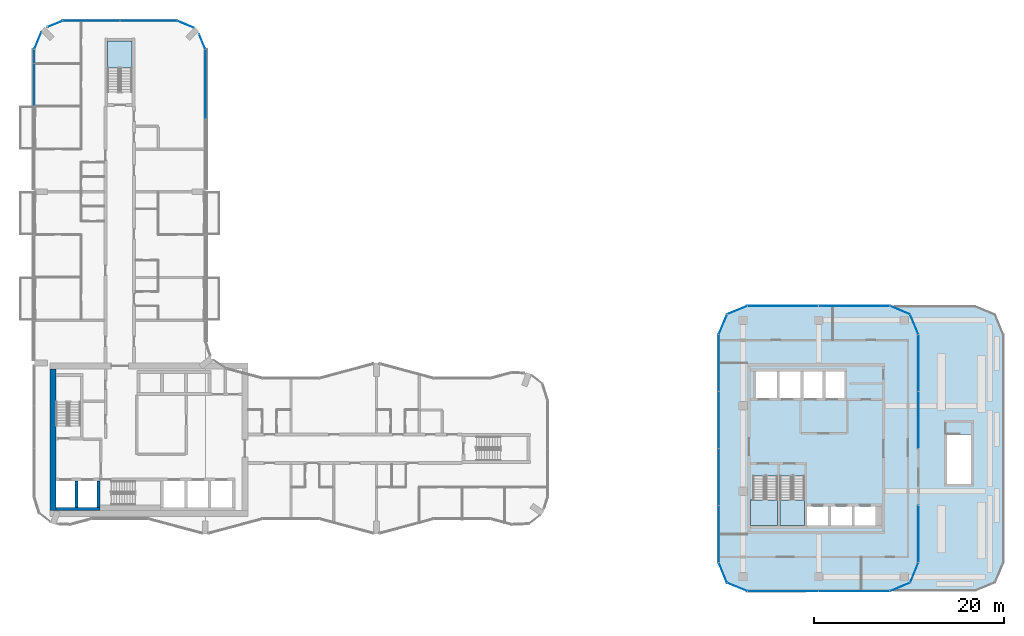
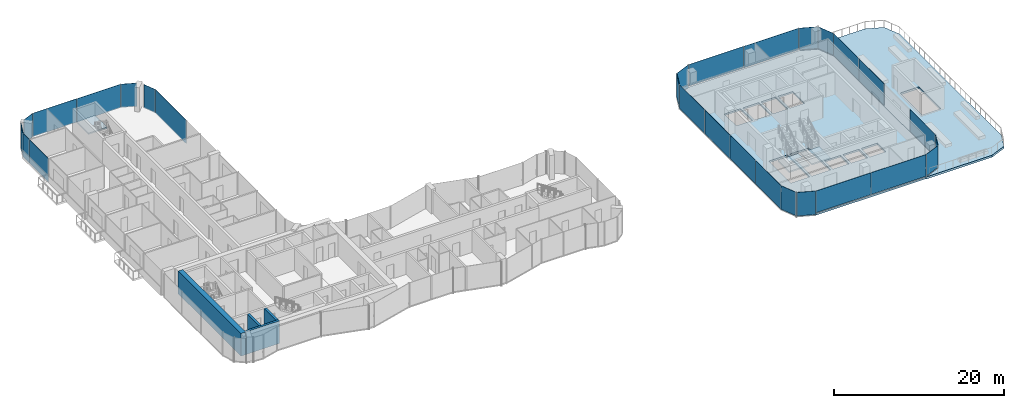
# One storey, part 12 of 22: 28 plates, 5 slabs, 4 walls, 23 elements without a shape of their own.
"""IFC4 building model written with IfcOpenShell, lengths in metres."""

from ifc_helpers import new_model, si_unit, direction, frame, frame_2d, origin, origin_2d, place, context, subcontext, project, spatial, polyline, rectangle, outline, extrude, material, layer, layer_set, type_object, element, aggregate, save


model = new_model("IFC4")

# Units and contexts
model_context = context("Model", 3, precision=1e-05, world=origin(), true_north=direction((0.0, 1.0)))
body_context = subcontext(model_context, "Body", "Model", "MODEL_VIEW")
ifc_project = project(units=[si_unit("LENGTHUNIT", "METRE"), si_unit("AREAUNIT", "SQUARE_METRE"), si_unit("VOLUMEUNIT", "CUBIC_METRE"), si_unit("PLANEANGLEUNIT", "RADIAN"), si_unit("MASSUNIT", "GRAM", prefix="KILO")], contexts=[model_context])

# Site, building, storey
site_placement = place(None, origin())
site = spatial("IfcSite", under=ifc_project, at=site_placement, CompositionType="ELEMENT")
building_placement = place(site_placement, origin())
building = spatial("IfcBuilding", under=site, at=building_placement, Name="Plateau Cross Towers", CompositionType="ELEMENT")
storey_placement = place(building_placement, frame((0.0, 0.0, 116.800048828125)))
storey = spatial("IfcBuildingStorey", under=building, at=storey_placement, Name="L30", CompositionType="ELEMENT", Elevation=116.800048828125)

# Curtain wall, plates
ifc_material_1 = material(Name="Dark low-iron glass", Category="glass")
ifc_layer_1 = layer(ifc_material_1, 0.239990234375)
ifc_layer_set_1 = layer_set([ifc_layer_1], Name="Dark low-iron glass")
curtain_wall_type_1 = type_object("IfcCurtainWallType", Name="Curtain wall office unitised CW-F", PredefinedType="NOTDEFINED", material=ifc_layer_set_1)
curtain_wall_1_placement = place(storey_placement, origin())
curtain_wall_1 = element("IfcCurtainWall", 1, at=curtain_wall_1_placement, inside=storey, type_object=curtain_wall_type_1, Name="ENV/B/L30/B750_-60", PredefinedType="NOTDEFINED")
ifc_layer_2 = layer(ifc_material_1, 0.028076171875)
ifc_layer_set_2 = layer_set([ifc_layer_2], Name="Dark low-iron glass")
plate_type_1 = type_object("IfcPlateType", Name="Glass panel 28 office unitised", PredefinedType="CURTAIN_PANEL", material=ifc_layer_set_2)
plate_1_placement = place(storey_placement, frame((78.75, -6.0, 0.1201171875), z_axis=(0.0, 0.0, 1.0), x_axis=(1.0, 0.0, 0.0)))
plate_1 = element("IfcPlate", 2, at=plate_1_placement, type_object=plate_type_1, Name="CW-F panel 1", PredefinedType="CURTAIN_PANEL", context=body_context, shape_type="SweptSolid", body=[
    extrude(rectangle(XDim=7.43994140625, YDim=0.028076171875, at=origin_2d()), origin(), (0.0, 0.0, 1.0), 3.1298828125),
])
plate_2_placement = place(storey_placement, frame((86.25, -6.0, 0.1201171875), z_axis=(0.0, 0.0, 1.0), x_axis=(1.0, 0.0, 0.0)))
plate_2 = element("IfcPlate", 3, at=plate_2_placement, type_object=plate_type_1, Name="CW-F panel 2", PredefinedType="CURTAIN_PANEL", context=body_context, shape_type="SweptSolid", body=[
    extrude(rectangle(XDim=7.43994140625, YDim=0.028076171875, at=origin_2d()), origin(), (0.0, 0.0, 1.0), 3.1298828125),
])
aggregate(curtain_wall_1, [plate_1, plate_2])

# Curtain wall, plate
curtain_wall_2_placement = place(storey_placement, origin())
curtain_wall_2 = element("IfcCurtainWall", 4, at=curtain_wall_2_placement, inside=storey, type_object=curtain_wall_type_1, Name="ENV/B/L30/B900_-60", PredefinedType="NOTDEFINED")
plate_3_placement = place(storey_placement, frame((91.060546875, -5.560546875, 0.1201171875), z_axis=(0.0, 0.0, 1.0), x_axis=(0.923879457699, 0.382683612978, 0.0)))
plate_3 = element("IfcPlate", 5, at=plate_3_placement, type_object=plate_type_1, Name="CW-F panel 1", PredefinedType="CURTAIN_PANEL", context=body_context, shape_type="SweptSolid", body=[
    extrude(rectangle(XDim=2.236083984375, YDim=0.028076171875, at=origin_2d()), origin(), (0.0, 0.0, 1.0), 3.1298828125),
])
aggregate(curtain_wall_2, [plate_3])

curtain_wall_3_placement = place(storey_placement, origin())
curtain_wall_3 = element("IfcCurtainWall", 6, at=curtain_wall_3_placement, inside=storey, type_object=curtain_wall_type_1, Name="ENV/B/L30/B921_-51", PredefinedType="NOTDEFINED")
plate_4_placement = place(storey_placement, frame((92.560546875, -4.060546875, 0.1201171875), z_axis=(0.0, 0.0, 1.0), x_axis=(0.382683612978, 0.923879457699, 0.0)))
plate_4 = element("IfcPlate", 7, at=plate_4_placement, type_object=plate_type_1, Name="CW-F panel 1", PredefinedType="CURTAIN_PANEL", context=body_context, shape_type="SweptSolid", body=[
    extrude(rectangle(XDim=2.236083984375, YDim=0.028076171875, at=origin_2d()), origin(), (0.0, 0.0, 1.0), 3.1298828125),
])
aggregate(curtain_wall_3, [plate_4])

curtain_wall_4_placement = place(storey_placement, origin())
curtain_wall_4 = element("IfcCurtainWall", 8, at=curtain_wall_4_placement, inside=storey, type_object=curtain_wall_type_1, Name="ENV/B/L30/B930_-30", PredefinedType="NOTDEFINED")
plate_5_placement = place(storey_placement, frame((93.0, 0.0, 0.1201171875), z_axis=(0.0, 0.0, 1.0), x_axis=(0.0, 1.0, 0.0)))
plate_5 = element("IfcPlate", 9, at=plate_5_placement, type_object=plate_type_1, Name="CW-F panel 1", PredefinedType="CURTAIN_PANEL", context=body_context, shape_type="SweptSolid", body=[
    extrude(rectangle(XDim=5.93994140625, YDim=0.028076171875, at=origin_2d()), origin(), (0.0, 0.0, 1.0), 3.1298828125),
])
aggregate(curtain_wall_4, [plate_5])

# Curtain wall, plates
curtain_wall_5_placement = place(storey_placement, origin())
curtain_wall_5 = element("IfcCurtainWall", 10, at=curtain_wall_5_placement, inside=storey, type_object=curtain_wall_type_1, Name="ENV/B/L30/B930_90", PredefinedType="NOTDEFINED")
plate_6_placement = place(storey_placement, frame((93.0, 12.0, 0.1201171875), z_axis=(0.0, 0.0, 1.0), x_axis=(0.0, 1.0, 0.0)))
plate_6 = element("IfcPlate", 11, at=plate_6_placement, type_object=plate_type_1, Name="CW-F panel 1", PredefinedType="CURTAIN_PANEL", context=body_context, shape_type="SweptSolid", body=[
    extrude(rectangle(XDim=5.93994140625, YDim=0.028076171875, at=origin_2d()), origin(), (0.0, 0.0, 1.0), 3.1298828125),
])
plate_7_placement = place(storey_placement, frame((93.0, 18.0, 0.1201171875), z_axis=(0.0, 0.0, 1.0), x_axis=(0.0, 1.0, 0.0)))
plate_7 = element("IfcPlate", 12, at=plate_7_placement, type_object=plate_type_1, Name="CW-F panel 2", PredefinedType="CURTAIN_PANEL", context=body_context, shape_type="SweptSolid", body=[
    extrude(rectangle(XDim=5.93994140625, YDim=0.028076171875, at=origin_2d()), origin(), (0.0, 0.0, 1.0), 3.1298828125),
])
aggregate(curtain_wall_5, [plate_6, plate_7])

# Curtain wall, plate
curtain_wall_6_placement = place(storey_placement, origin())
curtain_wall_6 = element("IfcCurtainWall", 13, at=curtain_wall_6_placement, inside=storey, type_object=curtain_wall_type_1, Name="ENV/B/L30/B930_210", PredefinedType="NOTDEFINED")
plate_8_placement = place(storey_placement, frame((92.560546875, 22.060546875, 0.1201171875), z_axis=(0.0, 0.0, 1.0), x_axis=(-0.382683612978, 0.923879457699, 0.0)))
plate_8 = element("IfcPlate", 14, at=plate_8_placement, type_object=plate_type_1, Name="CW-F panel 1", PredefinedType="CURTAIN_PANEL", context=body_context, shape_type="SweptSolid", body=[
    extrude(rectangle(XDim=2.236083984375, YDim=0.028076171875, at=origin_2d()), origin(), (0.0, 0.0, 1.0), 3.1298828125),
])
aggregate(curtain_wall_6, [plate_8])

curtain_wall_7_placement = place(storey_placement, origin())
curtain_wall_7 = element("IfcCurtainWall", 15, at=curtain_wall_7_placement, inside=storey, type_object=curtain_wall_type_1, Name="ENV/B/L30/B921_231", PredefinedType="NOTDEFINED")
plate_9_placement = place(storey_placement, frame((91.060546875, 23.560546875, 0.1201171875), z_axis=(0.0, 0.0, 1.0), x_axis=(-0.923879457699, 0.382683612978, 0.0)))
plate_9 = element("IfcPlate", 16, at=plate_9_placement, type_object=plate_type_1, Name="CW-F panel 1", PredefinedType="CURTAIN_PANEL", context=body_context, shape_type="SweptSolid", body=[
    extrude(rectangle(XDim=2.236083984375, YDim=0.028076171875, at=origin_2d()), origin(), (0.0, 0.0, 1.0), 3.1298828125),
])
aggregate(curtain_wall_7, [plate_9])

# Curtain wall, plates
curtain_wall_8_placement = place(storey_placement, origin())
curtain_wall_8 = element("IfcCurtainWall", 17, at=curtain_wall_8_placement, inside=storey, type_object=curtain_wall_type_1, Name="ENV/B/L30/B900_240", PredefinedType="NOTDEFINED")
plate_10_placement = place(storey_placement, frame((86.25, 24.0, 0.1201171875), z_axis=(0.0, 0.0, 1.0), x_axis=(-1.0, 0.0, 0.0)))
plate_10 = element("IfcPlate", 18, at=plate_10_placement, type_object=plate_type_1, Name="CW-F panel 1", PredefinedType="CURTAIN_PANEL", context=body_context, shape_type="SweptSolid", body=[
    extrude(rectangle(XDim=7.43994140625, YDim=0.028076171875, at=origin_2d()), origin(), (0.0, 0.0, 1.0), 3.1298828125),
])
plate_11_placement = place(storey_placement, frame((78.75, 24.0, 0.1201171875), z_axis=(0.0, 0.0, 1.0), x_axis=(-1.0, 0.0, 0.0)))
plate_11 = element("IfcPlate", 19, at=plate_11_placement, type_object=plate_type_1, Name="CW-F panel 2", PredefinedType="CURTAIN_PANEL", context=body_context, shape_type="SweptSolid", body=[
    extrude(rectangle(XDim=7.43994140625, YDim=0.028076171875, at=origin_2d()), origin(), (0.0, 0.0, 1.0), 3.1298828125),
])
aggregate(curtain_wall_8, [plate_10, plate_11])

# Curtain wall, plate
curtain_wall_9_placement = place(storey_placement, origin())
curtain_wall_9 = element("IfcCurtainWall", 20, at=curtain_wall_9_placement, inside=storey, type_object=curtain_wall_type_1, Name="ENV/B/L30/B750_240", PredefinedType="NOTDEFINED")
plate_12_placement = place(storey_placement, frame((73.939453125, 23.560546875, -0.1298828125), z_axis=(0.0, 0.0, 1.0), x_axis=(-0.923879457699, -0.382683612978, 0.0)))
plate_12 = element("IfcPlate", 21, at=plate_12_placement, type_object=plate_type_1, Name="CW-F panel 1", PredefinedType="CURTAIN_PANEL", context=body_context, shape_type="SweptSolid", body=[
    extrude(rectangle(XDim=2.236083984375, YDim=0.028076171875, at=origin_2d()), origin(), (0.0, 0.0, 1.0), 3.3798828125),
])
aggregate(curtain_wall_9, [plate_12])

curtain_wall_10_placement = place(storey_placement, origin())
curtain_wall_10 = element("IfcCurtainWall", 22, at=curtain_wall_10_placement, inside=storey, type_object=curtain_wall_type_1, Name="ENV/B/L30/B729_231", PredefinedType="NOTDEFINED")
plate_13_placement = place(storey_placement, frame((72.439453125, 22.060546875, -0.1298828125), z_axis=(0.0, 0.0, 1.0), x_axis=(-0.382683612978, -0.923879457699, 0.0)))
plate_13 = element("IfcPlate", 23, at=plate_13_placement, type_object=plate_type_1, Name="CW-F panel 1", PredefinedType="CURTAIN_PANEL", context=body_context, shape_type="SweptSolid", body=[
    extrude(rectangle(XDim=2.236083984375, YDim=0.028076171875, at=origin_2d()), origin(), (0.0, 0.0, 1.0), 3.3798828125),
])
aggregate(curtain_wall_10, [plate_13])

# Curtain wall, plates
curtain_wall_11_placement = place(storey_placement, origin())
curtain_wall_11 = element("IfcCurtainWall", 24, at=curtain_wall_11_placement, inside=storey, type_object=curtain_wall_type_1, Name="ENV/B/L30/B720_210", PredefinedType="NOTDEFINED")
plate_14_placement = place(storey_placement, frame((72.0, 18.0, -0.1298828125), z_axis=(0.0, 0.0, 1.0), x_axis=(0.0, -1.0, 0.0)))
plate_14 = element("IfcPlate", 25, at=plate_14_placement, type_object=plate_type_1, Name="CW-F panel 1", PredefinedType="CURTAIN_PANEL", context=body_context, shape_type="SweptSolid", body=[
    extrude(rectangle(XDim=5.93994140625, YDim=0.028076171875, at=origin_2d()), origin(), (0.0, 0.0, 1.0), 3.3798828125),
])
plate_15_placement = place(storey_placement, frame((72.0, 12.0, -0.1298828125), z_axis=(0.0, 0.0, 1.0), x_axis=(0.0, -1.0, 0.0)))
plate_15 = element("IfcPlate", 26, at=plate_15_placement, type_object=plate_type_1, Name="CW-F panel 2", PredefinedType="CURTAIN_PANEL", context=body_context, shape_type="SweptSolid", body=[
    extrude(rectangle(XDim=5.93994140625, YDim=0.028076171875, at=origin_2d()), origin(), (0.0, 0.0, 1.0), 3.3798828125),
])
plate_16_placement = place(storey_placement, frame((72.0, 6.0, -0.1298828125), z_axis=(0.0, 0.0, 1.0), x_axis=(0.0, -1.0, 0.0)))
plate_16 = element("IfcPlate", 27, at=plate_16_placement, type_object=plate_type_1, Name="CW-F panel 3", PredefinedType="CURTAIN_PANEL", context=body_context, shape_type="SweptSolid", body=[
    extrude(rectangle(XDim=5.93994140625, YDim=0.028076171875, at=origin_2d()), origin(), (0.0, 0.0, 1.0), 3.3798828125),
])
plate_17_placement = place(storey_placement, frame((72.0, 0.0, -0.1298828125), z_axis=(0.0, 0.0, 1.0), x_axis=(0.0, -1.0, 0.0)))
plate_17 = element("IfcPlate", 28, at=plate_17_placement, type_object=plate_type_1, Name="CW-F panel 4", PredefinedType="CURTAIN_PANEL", context=body_context, shape_type="SweptSolid", body=[
    extrude(rectangle(XDim=5.93994140625, YDim=0.028076171875, at=origin_2d()), origin(), (0.0, 0.0, 1.0), 3.3798828125),
])
aggregate(curtain_wall_11, [plate_14, plate_15, plate_16, plate_17])

# Curtain wall, plate
curtain_wall_12_placement = place(storey_placement, origin())
curtain_wall_12 = element("IfcCurtainWall", 29, at=curtain_wall_12_placement, inside=storey, type_object=curtain_wall_type_1, Name="ENV/B/L30/B720_-30", PredefinedType="NOTDEFINED")
plate_18_placement = place(storey_placement, frame((72.439453125, -4.060546875, -0.1298828125), z_axis=(0.0, 0.0, 1.0), x_axis=(0.382683612978, -0.923879457699, 0.0)))
plate_18 = element("IfcPlate", 30, at=plate_18_placement, type_object=plate_type_1, Name="CW-F panel 1", PredefinedType="CURTAIN_PANEL", context=body_context, shape_type="SweptSolid", body=[
    extrude(rectangle(XDim=2.236083984375, YDim=0.028076171875, at=origin_2d()), origin(), (0.0, 0.0, 1.0), 3.3798828125),
])
aggregate(curtain_wall_12, [plate_18])

curtain_wall_13_placement = place(storey_placement, origin())
curtain_wall_13 = element("IfcCurtainWall", 31, at=curtain_wall_13_placement, inside=storey, type_object=curtain_wall_type_1, Name="ENV/B/L30/B729_-51", PredefinedType="NOTDEFINED")
plate_19_placement = place(storey_placement, frame((73.939453125, -5.560546875, -0.1298828125), z_axis=(0.0, 0.0, 1.0), x_axis=(0.923879457699, -0.382683612978, 0.0)))
plate_19 = element("IfcPlate", 32, at=plate_19_placement, type_object=plate_type_1, Name="CW-F panel 1", PredefinedType="CURTAIN_PANEL", context=body_context, shape_type="SweptSolid", body=[
    extrude(rectangle(XDim=2.236083984375, YDim=0.028076171875, at=origin_2d()), origin(), (0.0, 0.0, 1.0), 3.3798828125),
])
aggregate(curtain_wall_13, [plate_19])

ifc_layer_3 = layer(ifc_material_1, 0.239990234375)
ifc_layer_set_3 = layer_set([ifc_layer_3], Name="Dark low-iron glass")
curtain_wall_type_2 = type_object("IfcCurtainWallType", Name="Curtain wall flush unitised CW-B", PredefinedType="NOTDEFINED", material=ifc_layer_set_3)
curtain_wall_14_placement = place(storey_placement, origin())
curtain_wall_14 = element("IfcCurtainWall", 33, at=curtain_wall_14_placement, inside=storey, type_object=curtain_wall_type_2, Name="ENV/A/L30/A180_363", PredefinedType="NOTDEFINED")
ifc_layer_4 = layer(ifc_material_1, 0.031982421875)
ifc_layer_set_4 = layer_set([ifc_layer_4], Name="Dark low-iron glass")
plate_type_2 = type_object("IfcPlateType", Name="Glass panel 32 flush unitised", PredefinedType="CURTAIN_PANEL", material=ifc_layer_set_4)
plate_20_placement = place(storey_placement, frame((18.0, 47.324951171875, -0.1298828125), z_axis=(0.0, 0.0, 1.0), x_axis=(0.0, 1.0, 0.0)))
plate_20 = element("IfcPlate", 34, at=plate_20_placement, type_object=plate_type_2, Name="CW-B panel 2", PredefinedType="CURTAIN_PANEL", context=body_context, shape_type="SweptSolid", body=[
    extrude(rectangle(XDim=7.2900390625, YDim=0.031982421875, at=origin_2d()), origin(), (0.0, 0.0, 1.0), 3.3798828125),
])
aggregate(curtain_wall_14, [plate_20])

curtain_wall_15_placement = place(storey_placement, origin())
curtain_wall_15 = element("IfcCurtainWall", 35, at=curtain_wall_15_placement, inside=storey, type_object=curtain_wall_type_2, Name="ENV/A/L30/A180_510", PredefinedType="NOTDEFINED")
plate_21_placement = place(storey_placement, frame((17.66943359375, 51.79833984375, -0.1298828125), z_axis=(0.0, 0.0, 1.0), x_axis=(-0.382683612978, 0.923879457699, 0.0)))
plate_21 = element("IfcPlate", 36, at=plate_21_placement, type_object=plate_type_2, Name="CW-B panel 1", PredefinedType="CURTAIN_PANEL", context=body_context, shape_type="SweptSolid", body=[
    extrude(rectangle(XDim=1.668212890625, YDim=0.031982421875, at=origin_2d()), origin(), (0.0, 0.0, 1.0), 3.3798828125),
])
aggregate(curtain_wall_15, [plate_21])

curtain_wall_16_placement = place(storey_placement, origin())
curtain_wall_16 = element("IfcCurtainWall", 37, at=curtain_wall_16_placement, inside=storey, type_object=curtain_wall_type_2, Name="ENV/A/L30/A168_533", PredefinedType="NOTDEFINED")
plate_22_placement = place(storey_placement, frame((15.90283203125, 53.6259765625, -0.1298828125), z_axis=(0.0, 0.0, 1.0), x_axis=(-0.923879457699, 0.382683612978, 0.0)))
plate_22 = element("IfcPlate", 38, at=plate_22_placement, type_object=plate_type_2, Name="CW-B panel 1", PredefinedType="CURTAIN_PANEL", context=body_context, shape_type="SweptSolid", body=[
    extrude(rectangle(XDim=1.894775390625, YDim=0.031982421875, at=origin_2d()), origin(), (0.0, 0.0, 1.0), 3.3798828125),
])
aggregate(curtain_wall_16, [plate_22])

# Curtain wall, plates
curtain_wall_17_placement = place(storey_placement, origin())
curtain_wall_17 = element("IfcCurtainWall", 39, at=curtain_wall_17_placement, inside=storey, type_object=curtain_wall_type_2, Name="ENV/A/L30/A150_540", PredefinedType="NOTDEFINED")
plate_23_placement = place(storey_placement, frame((12.0, 54.0, -0.1298828125), z_axis=(0.0, 0.0, 1.0), x_axis=(-1.0, 0.0, 0.0)))
plate_23 = element("IfcPlate", 40, at=plate_23_placement, type_object=plate_type_2, Name="CW-B panel 1", PredefinedType="CURTAIN_PANEL", context=body_context, shape_type="SweptSolid", body=[
    extrude(rectangle(XDim=5.93994140625, YDim=0.031982421875, at=origin_2d()), origin(), (0.0, 0.0, 1.0), 3.3798828125),
])
plate_24_placement = place(storey_placement, frame((6.0, 54.0, -0.1298828125), z_axis=(0.0, 0.0, 1.0), x_axis=(-1.0, 0.0, 0.0)))
plate_24 = element("IfcPlate", 41, at=plate_24_placement, type_object=plate_type_2, Name="CW-B panel 2", PredefinedType="CURTAIN_PANEL", context=body_context, shape_type="SweptSolid", body=[
    extrude(rectangle(XDim=5.93994140625, YDim=0.031982421875, at=origin_2d()), origin(), (0.0, 0.0, 1.0), 3.3798828125),
])
aggregate(curtain_wall_17, [plate_23, plate_24])

# Curtain wall, plate
curtain_wall_18_placement = place(storey_placement, origin())
curtain_wall_18 = element("IfcCurtainWall", 42, at=curtain_wall_18_placement, inside=storey, type_object=curtain_wall_type_2, Name="ENV/A/L30/A30_540", PredefinedType="NOTDEFINED")
plate_25_placement = place(storey_placement, frame((2.20166015625, 53.66943359375, -0.1298828125), z_axis=(0.0, 0.0, 1.0), x_axis=(-0.923879457699, -0.382683612978, 0.0)))
plate_25 = element("IfcPlate", 43, at=plate_25_placement, type_object=plate_type_2, Name="CW-B panel 1", PredefinedType="CURTAIN_PANEL", context=body_context, shape_type="SweptSolid", body=[
    extrude(rectangle(XDim=1.668212890625, YDim=0.031982421875, at=origin_2d()), origin(), (0.0, 0.0, 1.0), 3.3798828125),
])
aggregate(curtain_wall_18, [plate_25])

curtain_wall_19_placement = place(storey_placement, origin())
curtain_wall_19 = element("IfcCurtainWall", 44, at=curtain_wall_19_placement, inside=storey, type_object=curtain_wall_type_2, Name="ENV/A/L30/A7_528", PredefinedType="NOTDEFINED")
plate_26_placement = place(storey_placement, frame((0.3740234375, 51.90283203125, -0.1298828125), z_axis=(0.0, 0.0, 1.0), x_axis=(-0.382683612978, -0.923879457699, 0.0)))
plate_26 = element("IfcPlate", 45, at=plate_26_placement, type_object=plate_type_2, Name="CW-B panel 1", PredefinedType="CURTAIN_PANEL", context=body_context, shape_type="SweptSolid", body=[
    extrude(rectangle(XDim=1.894775390625, YDim=0.031982421875, at=origin_2d()), origin(), (0.0, 0.0, 1.0), 3.3798828125),
])
aggregate(curtain_wall_19, [plate_26])

# Curtain wall, plates
curtain_wall_20_placement = place(storey_placement, origin())
curtain_wall_20 = element("IfcCurtainWall", 46, at=curtain_wall_20_placement, inside=storey, type_object=curtain_wall_type_2, Name="ENV/A/L30/A0_510", PredefinedType="NOTDEFINED")
plate_27_placement = place(storey_placement, frame((0.0, 50.25, -0.1298828125), z_axis=(0.0, 0.0, 1.0), x_axis=(0.0, -1.0, 0.0)))
plate_27 = element("IfcPlate", 47, at=plate_27_placement, type_object=plate_type_2, Name="CW-B panel 1", PredefinedType="CURTAIN_PANEL", context=body_context, shape_type="SweptSolid", body=[
    extrude(rectangle(XDim=1.43994140625, YDim=0.031982421875, at=origin_2d()), origin(), (0.0, 0.0, 1.0), 3.3798828125),
])
plate_28_placement = place(storey_placement, frame((0.0, 47.2548828125, -0.1298828125), z_axis=(0.0, 0.0, 1.0), x_axis=(0.0, -1.0, 0.0)))
plate_28 = element("IfcPlate", 48, at=plate_28_placement, type_object=plate_type_2, Name="CW-B panel 2", PredefinedType="CURTAIN_PANEL", context=body_context, shape_type="SweptSolid", body=[
    extrude(rectangle(XDim=4.429931640625, YDim=0.031982421875, at=origin_2d()), origin(), (0.0, 0.0, 1.0), 3.3798828125),
])
aggregate(curtain_wall_20, [plate_27, plate_28])

# Slabs
ifc_material_2 = material(Name="Concrete C40/50", Category="concrete")
ifc_layer_5 = layer(ifc_material_2, 0.300048828125)
ifc_layer_set_5 = layer_set([ifc_layer_5], Name="Concrete C40/50")
slab_type_1 = type_object("IfcSlabType", Name="Post-tensioned deck slab 300", PredefinedType="FLOOR", material=ifc_layer_set_5)
slab_1_placement = place(storey_placement, frame((0.0, 0.0, -0.300048828125)))
element("IfcSlab", 49, at=slab_1_placement, inside=storey, type_object=slab_type_1, Name="SL-B-roof-garden", PredefinedType="FLOOR", context=body_context, shape_type="SweptSolid", body=[
    extrude(outline(polyline([(102.0, 21.0), (102.0, -3.0), (101.121337890625, -5.121337890625), (99.0, -6.0), (90.001220703125, -6.0), (90.001220703125, -5.99951171875), (92.121337890625, -5.121337890625), (93.0, -3.0), (93.0, 21.0), (92.121337890625, 23.121337890625), (90.001220703125, 23.99951171875), (90.001220703125, 24.0), (99.0, 24.0), (101.121337890625, 23.121337890625), (102.0, 21.0)]), holes=[polyline([(96.0, 5.300048828125), (98.550048828125, 5.300048828125), (98.550048828125, 10.5), (96.0, 10.5), (96.0, 5.300048828125)])]), origin(), (0.0, 0.0, 1.0), 0.300048828125),
])
ifc_layer_6 = layer(ifc_material_2, 0.25)
ifc_layer_set_6 = layer_set([ifc_layer_6], Name="Concrete C40/50")
slab_type_2 = type_object("IfcSlabType", Name="Post-tensioned flat plate slab 250", PredefinedType="FLOOR", material=ifc_layer_set_6)
slab_2_placement = place(storey_placement, frame((0.0, 0.0, -0.25)))
element("IfcSlab", 50, at=slab_2_placement, inside=storey, type_object=slab_type_2, Name="SL-B-L30", PredefinedType="FLOOR", context=body_context, shape_type="SweptSolid", body=[
    extrude(outline(polyline([(72.878662109375, -5.121337890625), (72.0, -3.0), (72.0, 21.0), (72.878662109375, 23.121337890625), (75.0, 24.0), (90.0, 24.0), (92.121337890625, 23.121337890625), (93.0, 21.0), (93.0, -3.0), (92.121337890625, -5.121337890625), (90.0, -6.0), (75.0, -6.0), (72.878662109375, -5.121337890625)]), holes=[polyline([(75.60009765625, 0.89990234375), (78.14990234375, 0.89990234375), (78.14990234375, 6.10009765625), (75.60009765625, 6.10009765625), (75.60009765625, 0.89990234375)]), polyline([(78.10009765625, 14.300048828125), (78.10009765625, 17.10009765625), (75.89990234375, 17.10009765625), (75.89990234375, 14.300048828125), (78.10009765625, 14.300048828125)]), polyline([(83.5, 0.89990234375), (83.5, 2.89990234375), (81.300048828125, 2.89990234375), (81.300048828125, 0.89990234375), (83.5, 0.89990234375)]), polyline([(86.0, 0.89990234375), (86.0, 2.89990234375), (83.800048828125, 2.89990234375), (83.800048828125, 0.89990234375), (86.0, 0.89990234375)]), polyline([(88.5, 0.89990234375), (88.5, 2.89990234375), (86.300048828125, 2.89990234375), (86.300048828125, 0.89990234375), (88.5, 0.89990234375)]), polyline([(78.449951171875, 0.89990234375), (81.0, 0.89990234375), (81.0, 6.10009765625), (78.449951171875, 6.10009765625), (78.449951171875, 0.89990234375)]), polyline([(80.60009765625, 14.300048828125), (80.60009765625, 17.10009765625), (78.39990234375, 17.10009765625), (78.39990234375, 14.300048828125), (80.60009765625, 14.300048828125)]), polyline([(80.89990234375, 14.300048828125), (82.89990234375, 14.300048828125), (82.89990234375, 17.10009765625), (80.89990234375, 17.10009765625), (80.89990234375, 14.300048828125)]), polyline([(83.199951171875, 14.300048828125), (85.199951171875, 14.300048828125), (85.199951171875, 17.10009765625), (83.199951171875, 17.10009765625), (83.199951171875, 14.300048828125)])]), origin(), (0.0, 0.0, 1.0), 0.25),
])

# Stair, slab
stair_type = type_object("IfcStairType", Name="ST-TWR", PredefinedType="HALF_TURN_STAIR", material=ifc_material_2)
stair_1_placement = place(storey_placement, origin())
stair_1 = element("IfcStair", 51, at=stair_1_placement, inside=storey, type_object=stair_type, Name="L30 Protected Exit Stair SB-1", PredefinedType="HALF_TURN_STAIR")
ifc_layer_7 = layer(ifc_material_2, 0.199951171875)
ifc_layer_set_7 = layer_set([ifc_layer_7], Name="Concrete C40/50")
slab_type_3 = type_object("IfcSlabType", Name="SL-LANDING", PredefinedType="LANDING", material=ifc_layer_set_7)
slab_3_placement = place(storey_placement, frame((0.0, 0.0, 1.550048828125)))
slab_3 = element("IfcSlab", 52, at=slab_3_placement, type_object=slab_type_3, Name="SB-1 landing 1", PredefinedType="LANDING", context=body_context, shape_type="SweptSolid", body=[
    extrude(outline(polyline([(75.35009765625, 3.580078125), (75.35009765625, 0.89990234375), (78.14990234375, 0.89990234375), (78.14990234375, 3.580078125), (75.35009765625, 3.580078125)])), origin(), (0.0, 0.0, 1.0), 0.199951171875),
])
aggregate(stair_1, [slab_3])

stair_2_placement = place(storey_placement, origin())
stair_2 = element("IfcStair", 53, at=stair_2_placement, inside=storey, type_object=stair_type, Name="L30 Protected Exit Stair SB-2", PredefinedType="HALF_TURN_STAIR")
slab_4_placement = place(storey_placement, frame((0.0, 0.0, 1.550048828125)))
slab_4 = element("IfcSlab", 54, at=slab_4_placement, type_object=slab_type_3, Name="SB-2 landing 1", PredefinedType="LANDING", context=body_context, shape_type="SweptSolid", body=[
    extrude(outline(polyline([(78.449951171875, 3.580078125), (78.449951171875, 0.89990234375), (81.0, 0.89990234375), (81.0, 3.580078125), (78.449951171875, 3.580078125)])), origin(), (0.0, 0.0, 1.0), 0.199951171875),
])
aggregate(stair_2, [slab_4])

stair_3_placement = place(storey_placement, origin())
stair_3 = element("IfcStair", 55, at=stair_3_placement, inside=storey, type_object=stair_type, Name="L30 Protected Exit Stair N", PredefinedType="HALF_TURN_STAIR")
slab_5_placement = place(storey_placement, frame((0.0, 0.0, 1.550048828125)))
slab_5 = element("IfcSlab", 56, at=slab_5_placement, type_object=slab_type_3, Name="ES-N landing 1", PredefinedType="LANDING", context=body_context, shape_type="SweptSolid", body=[
    extrude(outline(polyline([(10.27490234375, 49.02001953125), (10.27490234375, 51.85009765625), (7.72509765625, 51.85009765625), (7.72509765625, 49.02001953125), (10.27490234375, 49.02001953125)])), origin(), (0.0, 0.0, 1.0), 0.199951171875),
])
aggregate(stair_3, [slab_5])

# Walls
ifc_material_3 = material(Name="Concrete C60/75", Category="concrete")
ifc_layer_8 = layer(ifc_material_3, 0.300048828125)
ifc_layer_set_8 = layer_set([ifc_layer_8], Name="Concrete C60/75")
wall_type_1 = type_object("IfcWallType", Name="Core shaft wall 300", PredefinedType="SHEAR", material=ifc_layer_set_8)
wall_1_placement = place(storey_placement, frame((2.300048828125, 2.64990234375, 0.0), z_axis=(0.0, 0.0, 1.0), x_axis=(1.0, 0.0, 0.0)))
element("IfcWall", 57, at=wall_1_placement, inside=storey, type_object=wall_type_1, Name="A-sb-back1@L30", PredefinedType="SHEAR", context=body_context, shape_type="SweptSolid", body=[
    extrude(rectangle(XDim=4.599853515625, YDim=0.300048828125, at=frame_2d((2.2998046875, 0.0))), origin(), (0.0, 0.0, 1.0), 3.25),
])
for number, where, z_axis, x_axis, name in (
    (58, (4.449951171875, 2.800048828125, 0.0), (0.0, 0.0, 1.0), (0.0, 1.0, 0.0), "A-sb-v1@L30"),
    (59, (6.75, 2.800048828125, 0.0), (0.0, 0.0, 1.0), (0.0, 1.0, 0.0), "A-sb-v2@L30"),
):
    element("IfcWall", number, at=place(storey_placement, frame(where, z_axis=z_axis, x_axis=x_axis)), inside=storey, type_object=wall_type_1, Name=name, PredefinedType="SHEAR", context=body_context, shape_type="SweptSolid", body=[
        extrude(rectangle(XDim=2.800048828125, YDim=0.300048828125, at=frame_2d((1.39990234375, 0.0))), origin(), (0.0, 0.0, 1.0), 3.25),
    ])
ifc_layer_9 = layer(ifc_material_3, 0.64990234375)
ifc_layer_set_9 = layer_set([ifc_layer_9], Name="Concrete C60/75")
wall_type_2 = type_object("IfcWallType", Name="Core shell wall 650", PredefinedType="SHEAR", material=ifc_layer_set_9)
wall_2_placement = place(storey_placement, frame((1.97509765625, 2.5, 0.0), z_axis=(0.0, 0.0, 1.0), x_axis=(0.0, 1.0, 0.0)))
element("IfcWall", 60, at=wall_2_placement, inside=storey, type_object=wall_type_2, Name="A-core-W@L30", PredefinedType="SHEAR", context=body_context, shape_type="SweptSolid", body=[
    extrude(rectangle(XDim=14.85009765625, YDim=0.64990234375, at=frame_2d((7.425048828125, 0.0))), origin(), (0.0, 0.0, 1.0), 3.25),
])

save(model, "model.ifc")
